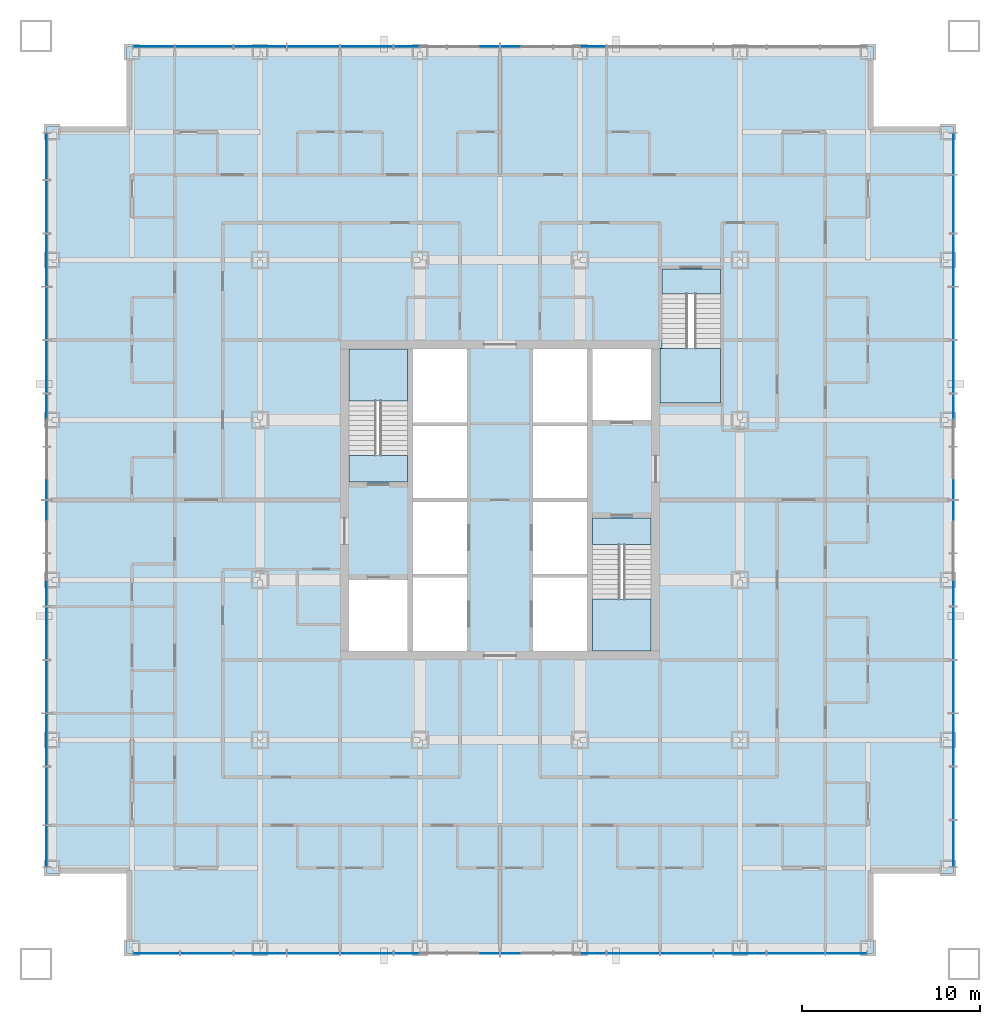
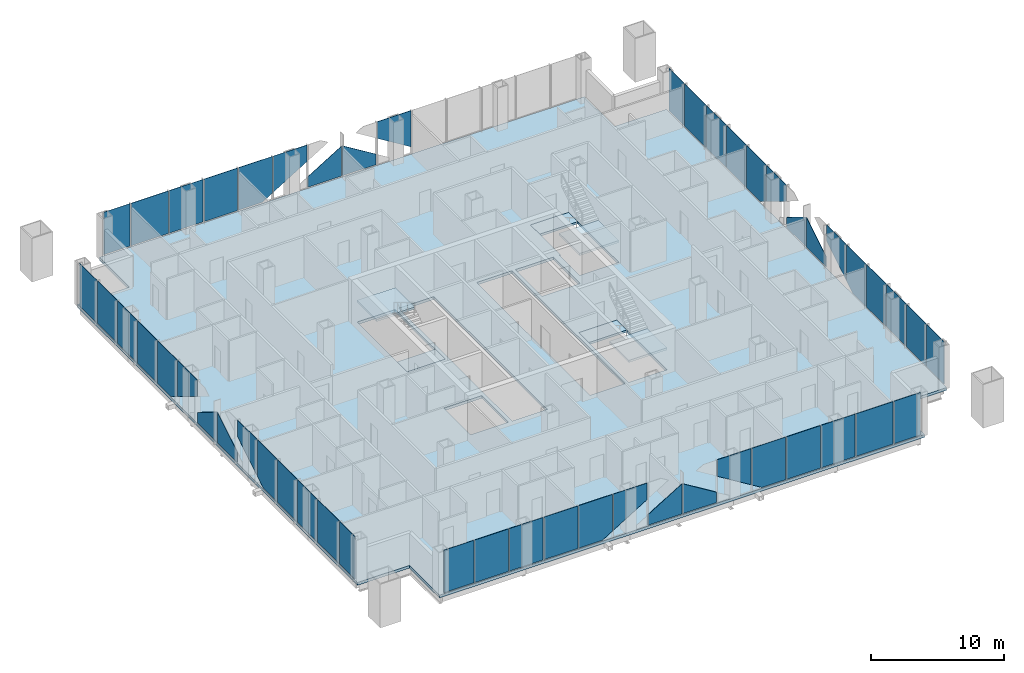
# One storey, part 6 of 13: 51 plates, 7 slabs, 7 elements without a shape of their own.
"""IFC4 building model written with IfcOpenShell, lengths in metres."""

import ifcopenshell
import ifcopenshell.guid

model = None  # the IFC model being written
_history = None  # IfcOwnerHistory: only IFC2X3 demands one
_inside = {}  # id of a spatial element -> (the spatial element, [elements in it])
_under = {}  # id of a project, library or spatial element -> (it, [spatial elements below it])
_declared = {}  # id of a project -> (the project, [libraries it declares])
_typed = {}  # id of a type object -> (the type object, [elements of that type])
_made_of = {}  # id of a material, layer set ... -> (it, [elements and type objects made of it])


def new_model(schema):
    """Start an empty IFC model of exactly this schema.

    Asked for "IFC4X3", IfcOpenShell would pick the latest addendum, in which some entities
    have other attributes; the version numbers below select the first issue.
    IFC2X3 requires an IfcOwnerHistory on every rooted entity: one is made here for all.
    """
    global model, _history
    if schema == "IFC4X3":
        model = ifcopenshell.file(schema_version=(4, 3, 0, 0))
    else:
        model = ifcopenshell.file(schema=schema)
    _inside.clear()
    _under.clear()
    _declared.clear()
    _typed.clear()
    _made_of.clear()
    _history = None
    if model.schema == "IFC2X3":
        org = make("IfcOrganization", Name="unknown")
        user = make(
            "IfcPersonAndOrganization",
            ThePerson=make("IfcPerson", FamilyName="unknown"),
            TheOrganization=org,
        )
        app = make(
            "IfcApplication",
            ApplicationDeveloper=org,
            Version="unknown",
            ApplicationFullName="unknown",
            ApplicationIdentifier="unknown",
        )
        _history = make(
            "IfcOwnerHistory",
            OwningUser=user,
            OwningApplication=app,
            ChangeAction="ADDED",
            CreationDate=0,
        )
    return model


def make(cls, **values):
    """One entity of the class cls with the attributes given. An attribute that is None is left unset."""
    return model.create_entity(
        cls, **{name: value for name, value in values.items() if value is not None}
    )


def rooted(cls, **values):
    """An entity with a GlobalId (a new one), such as an element, a storey or a relation."""
    return make(cls, GlobalId=ifcopenshell.guid.new(), OwnerHistory=_history, **values)


def si_unit(unit_type, name, prefix=None):
    """IfcSIUnit, for example si_unit("LENGTHUNIT", "METRE", prefix="MILLI")."""
    return make("IfcSIUnit", UnitType=unit_type, Prefix=prefix, Name=name)


def assignment(units):
    """IfcUnitAssignment: the units of a project."""
    return None if units is None else make("IfcUnitAssignment", Units=units)


def point(xyz):
    """IfcCartesianPoint."""
    return None if xyz is None else make("IfcCartesianPoint", Coordinates=xyz)


def direction(xyz):
    """IfcDirection."""
    return None if xyz is None else make("IfcDirection", DirectionRatios=xyz)


def frame(location, z_axis=None, x_axis=None):
    """IfcAxis2Placement3D, a coordinate frame: its origin and axes. An axis left out is left unset."""
    return make(
        "IfcAxis2Placement3D",
        Location=point(location),
        Axis=direction(z_axis),
        RefDirection=direction(x_axis),
    )


def frame_2d(location, x_axis=None):
    """IfcAxis2Placement2D, a coordinate frame in the plane: its origin and x axis."""
    return make(
        "IfcAxis2Placement2D", Location=point(location), RefDirection=direction(x_axis)
    )


def origin():
    """The frame at (0, 0, 0) with its axes left unset."""
    return frame((0.0, 0.0, 0.0))


def origin_2d():
    """The frame at (0, 0) in the plane with its x axis left unset."""
    return frame_2d((0.0, 0.0))


def place(relative_to, where):
    """IfcLocalPlacement: puts the frame where relative to a parent placement (None: the world)."""
    return make(
        "IfcLocalPlacement", PlacementRelTo=relative_to, RelativePlacement=where
    )


def context(
    kind, dimensions, precision=None, world=None, true_north=None, identifier=None
):
    """IfcGeometricRepresentationContext, for example the 3D "Model" context."""
    return make(
        "IfcGeometricRepresentationContext",
        ContextIdentifier=identifier,
        ContextType=kind,
        CoordinateSpaceDimension=dimensions,
        Precision=precision,
        WorldCoordinateSystem=world,
        TrueNorth=true_north,
    )


def subcontext(parent, identifier, kind, view, scale=None):
    """IfcGeometricRepresentationSubContext, for example "Body" below "Model"."""
    return make(
        "IfcGeometricRepresentationSubContext",
        ContextIdentifier=identifier,
        ContextType=kind,
        ParentContext=parent,
        TargetScale=scale,
        TargetView=view,
    )


def project(units=None, contexts=None):
    """IfcProject with its units and contexts."""
    return rooted(
        "IfcProject",
        Name="project",
        RepresentationContexts=contexts,
        UnitsInContext=assignment(units),
    )


def spatial(cls, under=None, at=None, **own):
    """A site, building, storey or space (cls), placed at a placement, below another one or the project."""
    s = rooted(cls, ObjectPlacement=at, **own)
    if under is not None:
        _under.setdefault(under.id(), (under, []))[1].append(s)
    return s


def polyline(points):
    """IfcPolyline through the points."""
    return make("IfcPolyline", Points=[point(p) for p in points])


def profile(cls, at=None, kind="AREA", **sizes):
    """A parametric profile (cls). Its sizes go by their IFC names, for example OverallWidth=200.0."""
    return make(cls, ProfileType=kind, Position=at, **sizes)


def rectangle(**sizes):
    """IfcRectangleProfileDef."""
    return profile("IfcRectangleProfileDef", **sizes)


def outline(outer, holes=None, kind="AREA"):
    """IfcArbitraryClosedProfileDef: a profile drawn as a closed curve; with holes, ...WithVoids."""
    if holes is None:
        return make("IfcArbitraryClosedProfileDef", ProfileType=kind, OuterCurve=outer)
    return make(
        "IfcArbitraryProfileDefWithVoids",
        ProfileType=kind,
        OuterCurve=outer,
        InnerCurves=holes,
    )


def extrude(swept, where, along, depth):
    """IfcExtrudedAreaSolid: the profile swept, set in the frame where, extruded along a direction by depth."""
    return make(
        "IfcExtrudedAreaSolid",
        SweptArea=swept,
        Position=where,
        ExtrudedDirection=direction(along),
        Depth=depth,
    )


def shape(context_of_items, identifier, shape_type, items):
    """IfcShapeRepresentation: the items that make up one representation, for example the "Body"."""
    return make(
        "IfcShapeRepresentation",
        ContextOfItems=context_of_items,
        RepresentationIdentifier=identifier,
        RepresentationType=shape_type,
        Items=items,
    )


def material(Name=None, Category=None):
    """IfcMaterial."""
    return make("IfcMaterial", Name=Name, Category=Category)


def layer(
    of_material, thickness, ventilated=None, Name=None, Category=None, Priority=None
):
    """IfcMaterialLayer: one layer of a wall or slab, of a material (None: an air gap)."""
    return make(
        "IfcMaterialLayer",
        Material=of_material,
        LayerThickness=thickness,
        IsVentilated=ventilated,
        Name=Name,
        Category=Category,
        Priority=Priority,
    )


def layer_set(layers, Name=None):
    """IfcMaterialLayerSet."""
    return make("IfcMaterialLayerSet", MaterialLayers=layers, LayerSetName=Name)


def made_of(thing, what):
    """Note that an element or type object is made of a material, layer set ...; save() writes the relation."""
    if what is not None:
        _made_of.setdefault(what.id(), (what, []))[1].append(thing)
    return thing


def type_object(cls, material=None, **own):
    """A type object (cls), such as IfcWallType, which elements share."""
    return made_of(rooted(cls, **own), material)


def element(
    cls,
    number,
    at=None,
    inside=None,
    cuts=None,
    type_object=None,
    material=None,
    context=None,
    identifier="Body",
    shape_type=None,
    held_by="IfcProductDefinitionShape",
    body=None,
    shapes=None,
    **own,
):
    """One element of the class cls, such as IfcWall. Its Tag is "e" and its number.

    at: its placement. inside: the storey or other place that contains it. cuts: it is an
    opening in that element (IfcRelVoidsElement). A single representation is given by context,
    identifier, shape_type and body (its items); several are given by shapes. held_by: the class
    of the entity that holds the representations. save() writes the other relations.
    """
    e = rooted(cls, Tag="e%d" % number, ObjectPlacement=at, **own)
    if body is not None:
        shapes = [shape(context, identifier, shape_type, body)]
    if shapes is not None:
        e.Representation = make(held_by, Representations=shapes)
    if inside is not None:
        _inside.setdefault(inside.id(), (inside, []))[1].append(e)
    if cuts is not None:
        rooted(
            "IfcRelVoidsElement", RelatingBuildingElement=cuts, RelatedOpeningElement=e
        )
    if type_object is not None:
        _typed.setdefault(type_object.id(), (type_object, []))[1].append(e)
    return made_of(e, material)


def aggregate(whole, parts):
    """IfcRelAggregates: a whole, such as a stair, and the parts it consists of."""
    return rooted("IfcRelAggregates", RelatingObject=whole, RelatedObjects=parts)


def save(model, path):
    """Write the relations noted so far, then the file.

    IfcRelAggregates (storeys below a building ...), IfcRelContainedInSpatialStructure (elements
    in a storey), IfcRelDefinesByType, IfcRelAssociatesMaterial and IfcRelDeclares: one each for
    every whole, place, type object, material and project.
    """
    for whole, parts in _under.values():
        aggregate(whole, parts)
    for where, things in _inside.values():
        rooted(
            "IfcRelContainedInSpatialStructure",
            RelatedElements=things,
            RelatingStructure=where,
        )
    for kind, things in _typed.values():
        rooted("IfcRelDefinesByType", RelatedObjects=things, RelatingType=kind)
    for what, things in _made_of.values():
        rooted("IfcRelAssociatesMaterial", RelatedObjects=things, RelatingMaterial=what)
    for by, libraries in _declared.values():
        rooted("IfcRelDeclares", RelatingContext=by, RelatedDefinitions=libraries)
    model.write(path)


model = new_model("IFC4")

# Units and contexts
model_context = context("Model", 3, precision=1e-05, world=origin(), true_north=direction((0.0, 1.0)))
body_context = subcontext(model_context, "Body", "Model", "MODEL_VIEW")
ifc_project = project(units=[si_unit("LENGTHUNIT", "METRE"), si_unit("AREAUNIT", "SQUARE_METRE"), si_unit("VOLUMEUNIT", "CUBIC_METRE"), si_unit("PLANEANGLEUNIT", "RADIAN"), si_unit("MASSUNIT", "GRAM", prefix="KILO")], contexts=[model_context])

# Site, building, storey
site_placement = place(None, origin())
site = spatial("IfcSite", under=ifc_project, at=site_placement, CompositionType="ELEMENT")
building_placement = place(site_placement, origin())
building = spatial("IfcBuilding", under=site, at=building_placement, Name="Malebo Sky Hospital", CompositionType="ELEMENT")
storey_placement = place(building_placement, frame((0.0, 0.0, 43.0)))
storey = spatial("IfcBuildingStorey", under=building, at=storey_placement, Name="L09", CompositionType="ELEMENT", Elevation=43.0)

# Slab
ifc_material_1 = material(Name="Concrete C40/50", Category="concrete")
ifc_layer_1 = layer(ifc_material_1, 0.25)
ifc_layer_set_1 = layer_set([ifc_layer_1], Name="COMPOSITE FLOOR SLAB 250")
slab_type_1 = type_object("IfcSlabType", Name="COMPOSITE FLOOR SLAB 250", PredefinedType="FLOOR", material=ifc_layer_set_1)
slab_1_placement = place(storey_placement, frame((0.0, 0.0, -0.25)))
element("IfcSlab", 1, at=slab_1_placement, inside=storey, type_object=slab_type_1, Name="Floor slab L09", PredefinedType="FLOOR", context=body_context, shape_type="SweptSolid", body=[
    extrude(outline(polyline([(39.0, 87.5), (39.0, 83.0), (34.5, 83.0), (34.5, 41.0), (39.0, 41.0), (39.0, 36.5), (81.0, 36.5), (81.0, 41.0), (85.5, 41.0), (85.5, 83.0), (81.0, 83.0), (81.0, 87.5), (39.0, 87.5)]), holes=[polyline([(55.10009765625, 70.5), (58.14990234375, 70.5), (58.14990234375, 53.5), (55.10009765625, 53.5), (55.10009765625, 70.5)]), polyline([(64.89990234375, 70.5), (64.89990234375, 53.5), (61.85009765625, 53.5), (61.85009765625, 70.5), (64.89990234375, 70.5)]), polyline([(54.800048828125, 63.0), (51.5, 63.0), (51.5, 70.5), (54.800048828125, 70.5), (54.800048828125, 63.0)]), polyline([(51.5, 53.5), (51.5, 57.5), (54.800048828125, 57.5), (54.800048828125, 53.5), (51.5, 53.5)]), polyline([(65.199951171875, 61.0), (68.5, 61.0), (68.5, 53.5), (65.199951171875, 53.5), (65.199951171875, 61.0)]), polyline([(68.5, 70.5), (68.5, 66.5), (65.199951171875, 66.5), (65.199951171875, 70.5), (68.5, 70.5)]), polyline([(69.0, 67.449951171875), (69.0, 70.52001953125), (69.10009765625, 70.52001953125), (69.10009765625, 75.0), (72.39990234375, 75.0), (72.39990234375, 67.449951171875), (69.10009765625, 67.449951171875), (69.0, 67.449951171875)])]), origin(), (0.0, 0.0, 1.0), 0.25),
])

# Stair, slabs
stair_type_1 = type_object("IfcStairType", Name="HALF-TURN STAIR 1500 R167", PredefinedType="HALF_TURN_STAIR", material=ifc_material_1)
stair_1_placement = place(storey_placement, origin())
stair_1 = element("IfcStair", 2, at=stair_1_placement, inside=storey, type_object=stair_type_1, Name="Stair S1 L09 type ST1", PredefinedType="HALF_TURN_STAIR")
ifc_layer_2 = layer(ifc_material_1, 0.199951171875)
ifc_layer_set_2 = layer_set([ifc_layer_2], Name="STAIR LANDING 200")
slab_type_2 = type_object("IfcSlabType", Name="STAIR LANDING 200", PredefinedType="LANDING", material=ifc_layer_set_2)
slab_2_placement = place(storey_placement, frame((0.0, 0.0, -0.199951171875)))
slab_2 = element("IfcSlab", 3, at=slab_2_placement, type_object=slab_type_2, Name="S1 landing 1", PredefinedType="LANDING", context=body_context, shape_type="SweptSolid", body=[
    extrude(outline(polyline([(51.5, 63.0), (54.800048828125, 63.0), (54.800048828125, 64.5), (51.5, 64.5), (51.5, 63.0)])), origin(), (0.0, 0.0, 1.0), 0.199951171875),
])
slab_3_placement = place(storey_placement, frame((0.0, 0.0, 1.800048828125)))
slab_3 = element("IfcSlab", 4, at=slab_3_placement, type_object=slab_type_2, Name="S1 landing 2", PredefinedType="LANDING", context=body_context, shape_type="SweptSolid", body=[
    extrude(outline(polyline([(51.5, 67.580078125), (54.800048828125, 67.580078125), (54.800048828125, 70.5), (51.5, 70.5), (51.5, 67.580078125)])), origin(), (0.0, 0.0, 1.0), 0.199951171875),
])
aggregate(stair_1, [slab_2, slab_3])

stair_2_placement = place(storey_placement, origin())
stair_2 = element("IfcStair", 5, at=stair_2_placement, inside=storey, type_object=stair_type_1, Name="Stair S2 L09 type ST1", PredefinedType="HALF_TURN_STAIR")
slab_4_placement = place(storey_placement, frame((0.0, 0.0, -0.199951171875)))
slab_4 = element("IfcSlab", 6, at=slab_4_placement, type_object=slab_type_2, Name="S2 landing 1", PredefinedType="LANDING", context=body_context, shape_type="SweptSolid", body=[
    extrude(outline(polyline([(65.199951171875, 59.5), (68.5, 59.5), (68.5, 61.0), (65.199951171875, 61.0), (65.199951171875, 59.5)])), origin(), (0.0, 0.0, 1.0), 0.199951171875),
])
slab_5_placement = place(storey_placement, frame((0.0, 0.0, 1.800048828125)))
slab_5 = element("IfcSlab", 7, at=slab_5_placement, type_object=slab_type_2, Name="S2 landing 2", PredefinedType="LANDING", context=body_context, shape_type="SweptSolid", body=[
    extrude(outline(polyline([(65.199951171875, 53.5), (68.5, 53.5), (68.5, 56.419921875), (65.199951171875, 56.419921875), (65.199951171875, 53.5)])), origin(), (0.0, 0.0, 1.0), 0.199951171875),
])
aggregate(stair_2, [slab_4, slab_5])

stair_type_2 = type_object("IfcStairType", Name="HALF-TURN STAIR 1400 R167", PredefinedType="HALF_TURN_STAIR", material=ifc_material_1)
stair_3_placement = place(storey_placement, origin())
stair_3 = element("IfcStair", 8, at=stair_3_placement, inside=storey, type_object=stair_type_2, Name="Stair S3 L09 type ST1B", PredefinedType="HALF_TURN_STAIR")
slab_6_placement = place(storey_placement, frame((0.0, 0.0, -0.199951171875)))
slab_6 = element("IfcSlab", 9, at=slab_6_placement, type_object=slab_type_2, Name="S3 landing 1", PredefinedType="LANDING", context=body_context, shape_type="SweptSolid", body=[
    extrude(outline(polyline([(69.10009765625, 73.60009765625), (72.39990234375, 73.60009765625), (72.39990234375, 75.0), (69.10009765625, 75.0), (69.10009765625, 73.60009765625)])), origin(), (0.0, 0.0, 1.0), 0.199951171875),
])
slab_7_placement = place(storey_placement, frame((0.0, 0.0, 1.800048828125)))
slab_7 = element("IfcSlab", 10, at=slab_7_placement, type_object=slab_type_2, Name="S3 landing 2", PredefinedType="LANDING", context=body_context, shape_type="SweptSolid", body=[
    extrude(outline(polyline([(69.0, 67.449951171875), (72.39990234375, 67.449951171875), (72.39990234375, 70.52001953125), (69.0, 70.52001953125), (69.0, 67.449951171875)])), origin(), (0.0, 0.0, 1.0), 0.199951171875),
])
aggregate(stair_3, [slab_6, slab_7])

# Curtain wall, plates
ifc_material_2 = material(Name="Anodised aluminium, natural silver", Category="aluminium")
ifc_layer_3 = layer(ifc_material_2, 0.25)
ifc_layer_set_3 = layer_set([ifc_layer_3], Name="WARD CURTAIN WALL NORTH AND SOUTH")
curtain_wall_type_1 = type_object("IfcCurtainWallType", Name="WARD CURTAIN WALL NORTH AND SOUTH", PredefinedType="NOTDEFINED", material=ifc_layer_set_3)
curtain_wall_1_placement = place(storey_placement, origin())
curtain_wall_1 = element("IfcCurtainWall", 11, at=curtain_wall_1_placement, inside=storey, type_object=curtain_wall_type_1, Name="NS curtain wall N", PredefinedType="NOTDEFINED")
ifc_material_3 = material(Name="Clear low-iron double glazing", Category="glass")
ifc_layer_4 = layer(ifc_material_3, 0.031982421875)
ifc_layer_set_4 = layer_set([ifc_layer_4], Name="VISION PANEL CLEAR 32")
plate_type = type_object("IfcPlateType", Name="VISION PANEL CLEAR 32", PredefinedType="CURTAIN_PANEL", material=ifc_layer_set_4)
plate_1_placement = place(storey_placement, frame((40.518798828125, 87.5, 0.10009765625), z_axis=(0.0, 0.0, 1.0), x_axis=(1.0, 0.0, 0.0)))
plate_1 = element("IfcPlate", 12, at=plate_1_placement, type_object=plate_type, Name="Panel 1", PredefinedType="CURTAIN_PANEL", context=body_context, shape_type="SweptSolid", body=[
    extrude(rectangle(XDim=2.28759765625, YDim=0.031982421875, at=origin_2d()), origin(), (0.0, 0.0, 1.0), 3.889892578125),
])
plate_2_placement = place(storey_placement, frame((43.35009765625, 87.5, 0.10009765625), z_axis=(0.0, 0.0, 1.0), x_axis=(1.0, 0.0, 0.0)))
plate_2 = element("IfcPlate", 13, at=plate_2_placement, type_object=plate_type, Name="Panel 2", PredefinedType="CURTAIN_PANEL", context=body_context, shape_type="SweptSolid", body=[
    extrude(rectangle(XDim=3.22509765625, YDim=0.031982421875, at=origin_2d()), origin(), (0.0, 0.0, 1.0), 3.889892578125),
])
plate_3_placement = place(storey_placement, frame((46.5, 87.5, 0.10009765625), z_axis=(0.0, 0.0, 1.0), x_axis=(1.0, 0.0, 0.0)))
plate_3 = element("IfcPlate", 14, at=plate_3_placement, type_object=plate_type, Name="Panel 3", PredefinedType="CURTAIN_PANEL", context=body_context, shape_type="SweptSolid", body=[
    extrude(rectangle(XDim=2.925048828125, YDim=0.031982421875, at=origin_2d()), origin(), (0.0, 0.0, 1.0), 3.889892578125),
])
plate_4_placement = place(storey_placement, frame((49.5, 87.5, 0.10009765625), z_axis=(0.0, 0.0, 1.0), x_axis=(1.0, 0.0, 0.0)))
plate_4 = element("IfcPlate", 15, at=plate_4_placement, type_object=plate_type, Name="Panel 4", PredefinedType="CURTAIN_PANEL", context=body_context, shape_type="SweptSolid", body=[
    extrude(rectangle(XDim=2.925048828125, YDim=0.031982421875, at=origin_2d()), origin(), (0.0, 0.0, 1.0), 3.889892578125),
])
plate_5_placement = place(storey_placement, frame((52.5, 87.5, 0.10009765625), z_axis=(0.0, 0.0, 1.0), x_axis=(1.0, 0.0, 0.0)))
plate_5 = element("IfcPlate", 16, at=plate_5_placement, type_object=plate_type, Name="Panel 5", PredefinedType="CURTAIN_PANEL", context=body_context, shape_type="SweptSolid", body=[
    extrude(outline(polyline([(-1.46240234375, 0.0), (0.593505859375, 0.0), (1.46240234375, 0.53271484375), (1.46240234375, 3.889892578125), (-1.46240234375, 3.889892578125), (-1.46240234375, 0.0)])), frame((0.0, 0.01611328125, 0.0), z_axis=(0.0, -1.0, 0.0), x_axis=(1.0, 0.0, 0.0)), (0.0, 0.0, 1.0), 0.031982421875),
])
plate_6_placement = place(storey_placement, frame((55.5, 87.5, 0.6787109375), z_axis=(0.0, 0.0, 1.0), x_axis=(1.0, 0.0, 0.0)))
plate_6 = element("IfcPlate", 17, at=plate_6_placement, type_object=plate_type, Name="Panel 6", PredefinedType="CURTAIN_PANEL", context=body_context, shape_type="SweptSolid", body=[
    extrude(outline(polyline([(-1.46240234375, 0.0), (1.46240234375, 1.793212890625), (1.46240234375, 3.311279296875), (-1.46240234375, 3.311279296875), (-1.46240234375, 0.0)])), frame((0.0, 0.01611328125, 0.0), z_axis=(0.0, -1.0, 0.0), x_axis=(1.0, 0.0, 0.0)), (0.0, 0.0, 1.0), 0.031982421875),
])
plate_7_placement = place(storey_placement, frame((58.5, 87.5, 0.10009765625), z_axis=(0.0, 0.0, 1.0), x_axis=(1.0, 0.0, 0.0)))
plate_7 = element("IfcPlate", 18, at=plate_7_placement, type_object=plate_type, Name="Panel 7", PredefinedType="CURTAIN_PANEL", context=body_context, shape_type="SweptSolid", body=[
    extrude(outline(polyline([(-1.46240234375, 0.0), (1.46240234375, 0.0), (1.46240234375, 2.743408203125), (-1.46240234375, 0.9501953125), (-1.46240234375, 0.0)])), frame((0.0, 0.01611328125, 0.0), z_axis=(0.0, -1.0, 0.0), x_axis=(1.0, 0.0, 0.0)), (0.0, 0.0, 1.0), 0.031982421875),
])
plate_8_placement = place(storey_placement, frame((61.5, 87.5, 0.10009765625), z_axis=(0.0, 0.0, 1.0), x_axis=(1.0, 0.0, 0.0)))
plate_8 = element("IfcPlate", 19, at=plate_8_placement, type_object=plate_type, Name="Panel 8", PredefinedType="CURTAIN_PANEL", context=body_context, shape_type="SweptSolid", body=[
    extrude(outline(polyline([(-1.46240234375, 0.0), (1.46240234375, 0.0), (1.46240234375, 0.9501953125), (-1.46240234375, 2.743408203125), (-1.46240234375, 0.0)])), frame((0.0, 0.01611328125, 0.0), z_axis=(0.0, -1.0, 0.0), x_axis=(1.0, 0.0, 0.0)), (0.0, 0.0, 1.0), 0.031982421875),
])
plate_9_placement = place(storey_placement, frame((64.5, 87.5, 0.6787109375), z_axis=(0.0, 0.0, 1.0), x_axis=(1.0, 0.0, 0.0)))
plate_9 = element("IfcPlate", 20, at=plate_9_placement, type_object=plate_type, Name="Panel 9", PredefinedType="CURTAIN_PANEL", context=body_context, shape_type="SweptSolid", body=[
    extrude(outline(polyline([(1.46240234375, 0.0), (1.46240234375, 3.311279296875), (-1.46240234375, 3.311279296875), (-1.46240234375, 1.793212890625), (1.46240234375, 0.0)])), frame((0.0, 0.01611328125, 0.0), z_axis=(0.0, -1.0, 0.0), x_axis=(1.0, 0.0, 0.0)), (0.0, 0.0, 1.0), 0.031982421875),
])
aggregate(curtain_wall_1, [plate_1, plate_2, plate_3, plate_4, plate_5, plate_6, plate_7, plate_8, plate_9])

ifc_layer_5 = layer(ifc_material_2, 0.25)
ifc_layer_set_5 = layer_set([ifc_layer_5], Name="WARD CURTAIN WALL EAST AND WEST")
curtain_wall_type_2 = type_object("IfcCurtainWallType", Name="WARD CURTAIN WALL EAST AND WEST", PredefinedType="NOTDEFINED", material=ifc_layer_set_5)
curtain_wall_2_placement = place(storey_placement, origin())
curtain_wall_2 = element("IfcCurtainWall", 21, at=curtain_wall_2_placement, inside=storey, type_object=curtain_wall_type_2, Name="EW curtain wall W", PredefinedType="NOTDEFINED")
plate_10_placement = place(storey_placement, frame((34.5, 42.518798828125, 0.10009765625), z_axis=(0.0, 0.0, 1.0), x_axis=(0.0, 1.0, 0.0)))
plate_10 = element("IfcPlate", 22, at=plate_10_placement, type_object=plate_type, Name="Panel 1", PredefinedType="CURTAIN_PANEL", context=body_context, shape_type="SweptSolid", body=[
    extrude(rectangle(XDim=2.28759765625, YDim=0.031982421875, at=origin_2d()), origin(), (0.0, 0.0, 1.0), 3.889892578125),
])
plate_11_placement = place(storey_placement, frame((34.5, 45.35009765625, 0.10009765625), z_axis=(0.0, 0.0, 1.0), x_axis=(0.0, 1.0, 0.0)))
plate_11 = element("IfcPlate", 23, at=plate_11_placement, type_object=plate_type, Name="Panel 2", PredefinedType="CURTAIN_PANEL", context=body_context, shape_type="SweptSolid", body=[
    extrude(rectangle(XDim=3.22509765625, YDim=0.031982421875, at=origin_2d()), origin(), (0.0, 0.0, 1.0), 3.889892578125),
])
plate_12_placement = place(storey_placement, frame((34.5, 48.5, 0.10009765625), z_axis=(0.0, 0.0, 1.0), x_axis=(0.0, 1.0, 0.0)))
plate_12 = element("IfcPlate", 24, at=plate_12_placement, type_object=plate_type, Name="Panel 3", PredefinedType="CURTAIN_PANEL", context=body_context, shape_type="SweptSolid", body=[
    extrude(rectangle(XDim=2.925048828125, YDim=0.031982421875, at=origin_2d()), origin(), (0.0, 0.0, 1.0), 3.889892578125),
])
plate_13_placement = place(storey_placement, frame((34.5, 51.5, 0.10009765625), z_axis=(0.0, 0.0, 1.0), x_axis=(0.0, 1.0, 0.0)))
plate_13 = element("IfcPlate", 25, at=plate_13_placement, type_object=plate_type, Name="Panel 4", PredefinedType="CURTAIN_PANEL", context=body_context, shape_type="SweptSolid", body=[
    extrude(rectangle(XDim=2.925048828125, YDim=0.031982421875, at=origin_2d()), origin(), (0.0, 0.0, 1.0), 3.889892578125),
])
plate_14_placement = place(storey_placement, frame((34.5, 54.5, 0.10009765625), z_axis=(0.0, 0.0, 1.0), x_axis=(0.0, 1.0, 0.0)))
plate_14 = element("IfcPlate", 26, at=plate_14_placement, type_object=plate_type, Name="Panel 5", PredefinedType="CURTAIN_PANEL", context=body_context, shape_type="SweptSolid", body=[
    extrude(outline(polyline([(-1.46240234375, 0.0), (0.593505859375, 0.0), (1.46240234375, 0.53271484375), (1.46240234375, 3.889892578125), (-1.46240234375, 3.889892578125), (-1.46240234375, 0.0)])), frame((0.0, 0.01611328125, 0.0), z_axis=(0.0, -1.0, 0.0), x_axis=(1.0, 0.0, 0.0)), (0.0, 0.0, 1.0), 0.031982421875),
])
plate_15_placement = place(storey_placement, frame((34.5, 57.5, 0.6787109375), z_axis=(0.0, 0.0, 1.0), x_axis=(0.0, 1.0, 0.0)))
plate_15 = element("IfcPlate", 27, at=plate_15_placement, type_object=plate_type, Name="Panel 6", PredefinedType="CURTAIN_PANEL", context=body_context, shape_type="SweptSolid", body=[
    extrude(outline(polyline([(-1.46240234375, 0.0), (1.46240234375, 1.793212890625), (1.46240234375, 3.311279296875), (-1.46240234375, 3.311279296875), (-1.46240234375, 0.0)])), frame((0.0, 0.01611328125, 0.0), z_axis=(0.0, -1.0, 0.0), x_axis=(1.0, 0.0, 0.0)), (0.0, 0.0, 1.0), 0.031982421875),
])
plate_16_placement = place(storey_placement, frame((34.5, 60.5, 0.10009765625), z_axis=(0.0, 0.0, 1.0), x_axis=(0.0, 1.0, 0.0)))
plate_16 = element("IfcPlate", 28, at=plate_16_placement, type_object=plate_type, Name="Panel 7", PredefinedType="CURTAIN_PANEL", context=body_context, shape_type="SweptSolid", body=[
    extrude(outline(polyline([(-1.46240234375, 0.0), (1.46240234375, 0.0), (1.46240234375, 2.743408203125), (-1.46240234375, 0.9501953125), (-1.46240234375, 0.0)])), frame((0.0, 0.01611328125, 0.0), z_axis=(0.0, -1.0, 0.0), x_axis=(1.0, 0.0, 0.0)), (0.0, 0.0, 1.0), 0.031982421875),
])
plate_17_placement = place(storey_placement, frame((34.5, 63.5, 0.10009765625), z_axis=(0.0, 0.0, 1.0), x_axis=(0.0, 1.0, 0.0)))
plate_17 = element("IfcPlate", 29, at=plate_17_placement, type_object=plate_type, Name="Panel 8", PredefinedType="CURTAIN_PANEL", context=body_context, shape_type="SweptSolid", body=[
    extrude(outline(polyline([(-1.46240234375, 0.0), (1.46240234375, 0.0), (1.46240234375, 0.9501953125), (-1.46240234375, 2.743408203125), (-1.46240234375, 0.0)])), frame((0.0, 0.01611328125, 0.0), z_axis=(0.0, -1.0, 0.0), x_axis=(1.0, 0.0, 0.0)), (0.0, 0.0, 1.0), 0.031982421875),
])
plate_18_placement = place(storey_placement, frame((34.5, 66.5, 0.6787109375), z_axis=(0.0, 0.0, 1.0), x_axis=(0.0, 1.0, 0.0)))
plate_18 = element("IfcPlate", 30, at=plate_18_placement, type_object=plate_type, Name="Panel 9", PredefinedType="CURTAIN_PANEL", context=body_context, shape_type="SweptSolid", body=[
    extrude(outline(polyline([(1.46240234375, 0.0), (1.46240234375, 3.311279296875), (-1.46240234375, 3.311279296875), (-1.46240234375, 1.793212890625), (1.46240234375, 0.0)])), frame((0.0, 0.01611328125, 0.0), z_axis=(0.0, -1.0, 0.0), x_axis=(1.0, 0.0, 0.0)), (0.0, 0.0, 1.0), 0.031982421875),
])
plate_19_placement = place(storey_placement, frame((34.5, 69.5, 0.10009765625), z_axis=(0.0, 0.0, 1.0), x_axis=(0.0, 1.0, 0.0)))
plate_19 = element("IfcPlate", 31, at=plate_19_placement, type_object=plate_type, Name="Panel 10", PredefinedType="CURTAIN_PANEL", context=body_context, shape_type="SweptSolid", body=[
    extrude(outline(polyline([(-0.593505859375, 0.0), (1.46240234375, 0.0), (1.46240234375, 3.889892578125), (-1.46240234375, 3.889892578125), (-1.46240234375, 0.53271484375), (-0.593505859375, 0.0)])), frame((0.0, 0.01611328125, 0.0), z_axis=(0.0, -1.0, 0.0), x_axis=(1.0, 0.0, 0.0)), (0.0, 0.0, 1.0), 0.031982421875),
])
plate_20_placement = place(storey_placement, frame((34.5, 72.5, 0.10009765625), z_axis=(0.0, 0.0, 1.0), x_axis=(0.0, 1.0, 0.0)))
plate_20 = element("IfcPlate", 32, at=plate_20_placement, type_object=plate_type, Name="Panel 11", PredefinedType="CURTAIN_PANEL", context=body_context, shape_type="SweptSolid", body=[
    extrude(rectangle(XDim=2.925048828125, YDim=0.031982421875, at=origin_2d()), origin(), (0.0, 0.0, 1.0), 3.889892578125),
])
plate_21_placement = place(storey_placement, frame((34.5, 75.5, 0.10009765625), z_axis=(0.0, 0.0, 1.0), x_axis=(0.0, 1.0, 0.0)))
plate_21 = element("IfcPlate", 33, at=plate_21_placement, type_object=plate_type, Name="Panel 12", PredefinedType="CURTAIN_PANEL", context=body_context, shape_type="SweptSolid", body=[
    extrude(rectangle(XDim=2.925048828125, YDim=0.031982421875, at=origin_2d()), origin(), (0.0, 0.0, 1.0), 3.889892578125),
])
plate_22_placement = place(storey_placement, frame((34.5, 78.5, 0.10009765625), z_axis=(0.0, 0.0, 1.0), x_axis=(0.0, 1.0, 0.0)))
plate_22 = element("IfcPlate", 34, at=plate_22_placement, type_object=plate_type, Name="Panel 13", PredefinedType="CURTAIN_PANEL", context=body_context, shape_type="SweptSolid", body=[
    extrude(rectangle(XDim=2.925048828125, YDim=0.031982421875, at=origin_2d()), origin(), (0.0, 0.0, 1.0), 3.889892578125),
])
plate_23_placement = place(storey_placement, frame((34.5, 81.331298828125, 0.10009765625), z_axis=(0.0, 0.0, 1.0), x_axis=(0.0, 1.0, 0.0)))
plate_23 = element("IfcPlate", 35, at=plate_23_placement, type_object=plate_type, Name="Panel 14", PredefinedType="CURTAIN_PANEL", context=body_context, shape_type="SweptSolid", body=[
    extrude(rectangle(XDim=2.58740234375, YDim=0.031982421875, at=origin_2d()), origin(), (0.0, 0.0, 1.0), 3.889892578125),
])
aggregate(curtain_wall_2, [plate_10, plate_11, plate_12, plate_13, plate_14, plate_15, plate_16, plate_17, plate_18, plate_19, plate_20, plate_21, plate_22, plate_23])

curtain_wall_3_placement = place(storey_placement, origin())
curtain_wall_3 = element("IfcCurtainWall", 36, at=curtain_wall_3_placement, inside=storey, type_object=curtain_wall_type_1, Name="NS curtain wall S", PredefinedType="NOTDEFINED")
plate_24_placement = place(storey_placement, frame((79.481201171875, 36.5, 0.10009765625), z_axis=(0.0, 0.0, 1.0), x_axis=(-1.0, 0.0, 0.0)))
plate_24 = element("IfcPlate", 37, at=plate_24_placement, type_object=plate_type, Name="Panel 1", PredefinedType="CURTAIN_PANEL", context=body_context, shape_type="SweptSolid", body=[
    extrude(rectangle(XDim=2.28759765625, YDim=0.031982421875, at=origin_2d()), origin(), (0.0, 0.0, 1.0), 3.889892578125),
])
plate_25_placement = place(storey_placement, frame((76.64990234375, 36.5, 0.10009765625), z_axis=(0.0, 0.0, 1.0), x_axis=(-1.0, 0.0, 0.0)))
plate_25 = element("IfcPlate", 38, at=plate_25_placement, type_object=plate_type, Name="Panel 2", PredefinedType="CURTAIN_PANEL", context=body_context, shape_type="SweptSolid", body=[
    extrude(rectangle(XDim=3.22509765625, YDim=0.031982421875, at=origin_2d()), origin(), (0.0, 0.0, 1.0), 3.889892578125),
])
plate_26_placement = place(storey_placement, frame((73.5, 36.5, 0.10009765625), z_axis=(0.0, 0.0, 1.0), x_axis=(-1.0, 0.0, 0.0)))
plate_26 = element("IfcPlate", 39, at=plate_26_placement, type_object=plate_type, Name="Panel 3", PredefinedType="CURTAIN_PANEL", context=body_context, shape_type="SweptSolid", body=[
    extrude(rectangle(XDim=2.925048828125, YDim=0.031982421875, at=origin_2d()), origin(), (0.0, 0.0, 1.0), 3.889892578125),
])
plate_27_placement = place(storey_placement, frame((70.5, 36.5, 0.10009765625), z_axis=(0.0, 0.0, 1.0), x_axis=(-1.0, 0.0, 0.0)))
plate_27 = element("IfcPlate", 40, at=plate_27_placement, type_object=plate_type, Name="Panel 4", PredefinedType="CURTAIN_PANEL", context=body_context, shape_type="SweptSolid", body=[
    extrude(rectangle(XDim=2.925048828125, YDim=0.031982421875, at=origin_2d()), origin(), (0.0, 0.0, 1.0), 3.889892578125),
])
plate_28_placement = place(storey_placement, frame((67.5, 36.5, 0.10009765625), z_axis=(0.0, 0.0, 1.0), x_axis=(-1.0, 0.0, 0.0)))
plate_28 = element("IfcPlate", 41, at=plate_28_placement, type_object=plate_type, Name="Panel 5", PredefinedType="CURTAIN_PANEL", context=body_context, shape_type="SweptSolid", body=[
    extrude(outline(polyline([(-1.46240234375, 0.0), (0.593505859375, 0.0), (1.46240234375, 0.53271484375), (1.46240234375, 3.889892578125), (-1.46240234375, 3.889892578125), (-1.46240234375, 0.0)])), frame((0.0, 0.01611328125, 0.0), z_axis=(0.0, -1.0, 0.0), x_axis=(1.0, 0.0, 0.0)), (0.0, 0.0, 1.0), 0.031982421875),
])
plate_29_placement = place(storey_placement, frame((64.5, 36.5, 0.6787109375), z_axis=(0.0, 0.0, 1.0), x_axis=(-1.0, 0.0, 0.0)))
plate_29 = element("IfcPlate", 42, at=plate_29_placement, type_object=plate_type, Name="Panel 6", PredefinedType="CURTAIN_PANEL", context=body_context, shape_type="SweptSolid", body=[
    extrude(outline(polyline([(-1.46240234375, 0.0), (1.46240234375, 1.793212890625), (1.46240234375, 3.311279296875), (-1.46240234375, 3.311279296875), (-1.46240234375, 0.0)])), frame((0.0, 0.01611328125, 0.0), z_axis=(0.0, -1.0, 0.0), x_axis=(1.0, 0.0, 0.0)), (0.0, 0.0, 1.0), 0.031982421875),
])
plate_30_placement = place(storey_placement, frame((61.5, 36.5, 0.10009765625), z_axis=(0.0, 0.0, 1.0), x_axis=(-1.0, 0.0, 0.0)))
plate_30 = element("IfcPlate", 43, at=plate_30_placement, type_object=plate_type, Name="Panel 7", PredefinedType="CURTAIN_PANEL", context=body_context, shape_type="SweptSolid", body=[
    extrude(outline(polyline([(-1.46240234375, 0.0), (1.46240234375, 0.0), (1.46240234375, 2.743408203125), (-1.46240234375, 0.9501953125), (-1.46240234375, 0.0)])), frame((0.0, 0.01611328125, 0.0), z_axis=(0.0, -1.0, 0.0), x_axis=(1.0, 0.0, 0.0)), (0.0, 0.0, 1.0), 0.031982421875),
])
plate_31_placement = place(storey_placement, frame((58.5, 36.5, 0.10009765625), z_axis=(0.0, 0.0, 1.0), x_axis=(-1.0, 0.0, 0.0)))
plate_31 = element("IfcPlate", 44, at=plate_31_placement, type_object=plate_type, Name="Panel 8", PredefinedType="CURTAIN_PANEL", context=body_context, shape_type="SweptSolid", body=[
    extrude(outline(polyline([(-1.46240234375, 0.0), (1.46240234375, 0.0), (1.46240234375, 0.9501953125), (-1.46240234375, 2.743408203125), (-1.46240234375, 0.0)])), frame((0.0, 0.01611328125, 0.0), z_axis=(0.0, -1.0, 0.0), x_axis=(1.0, 0.0, 0.0)), (0.0, 0.0, 1.0), 0.031982421875),
])
plate_32_placement = place(storey_placement, frame((55.5, 36.5, 0.6787109375), z_axis=(0.0, 0.0, 1.0), x_axis=(-1.0, 0.0, 0.0)))
plate_32 = element("IfcPlate", 45, at=plate_32_placement, type_object=plate_type, Name="Panel 9", PredefinedType="CURTAIN_PANEL", context=body_context, shape_type="SweptSolid", body=[
    extrude(outline(polyline([(1.46240234375, 0.0), (1.46240234375, 3.311279296875), (-1.46240234375, 3.311279296875), (-1.46240234375, 1.793212890625), (1.46240234375, 0.0)])), frame((0.0, 0.01611328125, 0.0), z_axis=(0.0, -1.0, 0.0), x_axis=(1.0, 0.0, 0.0)), (0.0, 0.0, 1.0), 0.031982421875),
])
plate_33_placement = place(storey_placement, frame((52.5, 36.5, 0.10009765625), z_axis=(0.0, 0.0, 1.0), x_axis=(-1.0, 0.0, 0.0)))
plate_33 = element("IfcPlate", 46, at=plate_33_placement, type_object=plate_type, Name="Panel 10", PredefinedType="CURTAIN_PANEL", context=body_context, shape_type="SweptSolid", body=[
    extrude(outline(polyline([(-0.593505859375, 0.0), (1.46240234375, 0.0), (1.46240234375, 3.889892578125), (-1.46240234375, 3.889892578125), (-1.46240234375, 0.53271484375), (-0.593505859375, 0.0)])), frame((0.0, 0.01611328125, 0.0), z_axis=(0.0, -1.0, 0.0), x_axis=(1.0, 0.0, 0.0)), (0.0, 0.0, 1.0), 0.031982421875),
])
plate_34_placement = place(storey_placement, frame((49.5, 36.5, 0.10009765625), z_axis=(0.0, 0.0, 1.0), x_axis=(-1.0, 0.0, 0.0)))
plate_34 = element("IfcPlate", 47, at=plate_34_placement, type_object=plate_type, Name="Panel 11", PredefinedType="CURTAIN_PANEL", context=body_context, shape_type="SweptSolid", body=[
    extrude(rectangle(XDim=2.925048828125, YDim=0.031982421875, at=origin_2d()), origin(), (0.0, 0.0, 1.0), 3.889892578125),
])
plate_35_placement = place(storey_placement, frame((46.5, 36.5, 0.10009765625), z_axis=(0.0, 0.0, 1.0), x_axis=(-1.0, 0.0, 0.0)))
plate_35 = element("IfcPlate", 48, at=plate_35_placement, type_object=plate_type, Name="Panel 12", PredefinedType="CURTAIN_PANEL", context=body_context, shape_type="SweptSolid", body=[
    extrude(rectangle(XDim=2.925048828125, YDim=0.031982421875, at=origin_2d()), origin(), (0.0, 0.0, 1.0), 3.889892578125),
])
plate_36_placement = place(storey_placement, frame((43.5, 36.5, 0.10009765625), z_axis=(0.0, 0.0, 1.0), x_axis=(-1.0, 0.0, 0.0)))
plate_36 = element("IfcPlate", 49, at=plate_36_placement, type_object=plate_type, Name="Panel 13", PredefinedType="CURTAIN_PANEL", context=body_context, shape_type="SweptSolid", body=[
    extrude(rectangle(XDim=2.925048828125, YDim=0.031982421875, at=origin_2d()), origin(), (0.0, 0.0, 1.0), 3.889892578125),
])
plate_37_placement = place(storey_placement, frame((40.668701171875, 36.5, 0.10009765625), z_axis=(0.0, 0.0, 1.0), x_axis=(-1.0, 0.0, 0.0)))
plate_37 = element("IfcPlate", 50, at=plate_37_placement, type_object=plate_type, Name="Panel 14", PredefinedType="CURTAIN_PANEL", context=body_context, shape_type="SweptSolid", body=[
    extrude(rectangle(XDim=2.58740234375, YDim=0.031982421875, at=origin_2d()), origin(), (0.0, 0.0, 1.0), 3.889892578125),
])
aggregate(curtain_wall_3, [plate_24, plate_25, plate_26, plate_27, plate_28, plate_29, plate_30, plate_31, plate_32, plate_33, plate_34, plate_35, plate_36, plate_37])

curtain_wall_4_placement = place(storey_placement, origin())
curtain_wall_4 = element("IfcCurtainWall", 51, at=curtain_wall_4_placement, inside=storey, type_object=curtain_wall_type_2, Name="EW curtain wall E", PredefinedType="NOTDEFINED")
plate_38_placement = place(storey_placement, frame((85.5, 81.481201171875, 0.10009765625), z_axis=(0.0, 0.0, 1.0), x_axis=(0.0, -1.0, 0.0)))
plate_38 = element("IfcPlate", 52, at=plate_38_placement, type_object=plate_type, Name="Panel 1", PredefinedType="CURTAIN_PANEL", context=body_context, shape_type="SweptSolid", body=[
    extrude(rectangle(XDim=2.28759765625, YDim=0.031982421875, at=origin_2d()), origin(), (0.0, 0.0, 1.0), 3.889892578125),
])
plate_39_placement = place(storey_placement, frame((85.5, 78.64990234375, 0.10009765625), z_axis=(0.0, 0.0, 1.0), x_axis=(0.0, -1.0, 0.0)))
plate_39 = element("IfcPlate", 53, at=plate_39_placement, type_object=plate_type, Name="Panel 2", PredefinedType="CURTAIN_PANEL", context=body_context, shape_type="SweptSolid", body=[
    extrude(rectangle(XDim=3.22509765625, YDim=0.031982421875, at=origin_2d()), origin(), (0.0, 0.0, 1.0), 3.889892578125),
])
plate_40_placement = place(storey_placement, frame((85.5, 75.5, 0.10009765625), z_axis=(0.0, 0.0, 1.0), x_axis=(0.0, -1.0, 0.0)))
plate_40 = element("IfcPlate", 54, at=plate_40_placement, type_object=plate_type, Name="Panel 3", PredefinedType="CURTAIN_PANEL", context=body_context, shape_type="SweptSolid", body=[
    extrude(rectangle(XDim=2.925048828125, YDim=0.031982421875, at=origin_2d()), origin(), (0.0, 0.0, 1.0), 3.889892578125),
])
plate_41_placement = place(storey_placement, frame((85.5, 72.5, 0.10009765625), z_axis=(0.0, 0.0, 1.0), x_axis=(0.0, -1.0, 0.0)))
plate_41 = element("IfcPlate", 55, at=plate_41_placement, type_object=plate_type, Name="Panel 4", PredefinedType="CURTAIN_PANEL", context=body_context, shape_type="SweptSolid", body=[
    extrude(rectangle(XDim=2.925048828125, YDim=0.031982421875, at=origin_2d()), origin(), (0.0, 0.0, 1.0), 3.889892578125),
])
plate_42_placement = place(storey_placement, frame((85.5, 69.5, 0.10009765625), z_axis=(0.0, 0.0, 1.0), x_axis=(0.0, -1.0, 0.0)))
plate_42 = element("IfcPlate", 56, at=plate_42_placement, type_object=plate_type, Name="Panel 5", PredefinedType="CURTAIN_PANEL", context=body_context, shape_type="SweptSolid", body=[
    extrude(outline(polyline([(-1.46240234375, 0.0), (0.593505859375, 0.0), (1.46240234375, 0.53271484375), (1.46240234375, 3.889892578125), (-1.46240234375, 3.889892578125), (-1.46240234375, 0.0)])), frame((0.0, 0.01611328125, 0.0), z_axis=(0.0, -1.0, 0.0), x_axis=(1.0, 0.0, 0.0)), (0.0, 0.0, 1.0), 0.031982421875),
])
plate_43_placement = place(storey_placement, frame((85.5, 66.5, 0.6787109375), z_axis=(0.0, 0.0, 1.0), x_axis=(0.0, -1.0, 0.0)))
plate_43 = element("IfcPlate", 57, at=plate_43_placement, type_object=plate_type, Name="Panel 6", PredefinedType="CURTAIN_PANEL", context=body_context, shape_type="SweptSolid", body=[
    extrude(outline(polyline([(-1.46240234375, 0.0), (1.46240234375, 1.793212890625), (1.46240234375, 3.311279296875), (-1.46240234375, 3.311279296875), (-1.46240234375, 0.0)])), frame((0.0, 0.01611328125, 0.0), z_axis=(0.0, -1.0, 0.0), x_axis=(1.0, 0.0, 0.0)), (0.0, 0.0, 1.0), 0.031982421875),
])
plate_44_placement = place(storey_placement, frame((85.5, 63.5, 0.10009765625), z_axis=(0.0, 0.0, 1.0), x_axis=(0.0, -1.0, 0.0)))
plate_44 = element("IfcPlate", 58, at=plate_44_placement, type_object=plate_type, Name="Panel 7", PredefinedType="CURTAIN_PANEL", context=body_context, shape_type="SweptSolid", body=[
    extrude(outline(polyline([(-1.46240234375, 0.0), (1.46240234375, 0.0), (1.46240234375, 2.743408203125), (-1.46240234375, 0.9501953125), (-1.46240234375, 0.0)])), frame((0.0, 0.01611328125, 0.0), z_axis=(0.0, -1.0, 0.0), x_axis=(1.0, 0.0, 0.0)), (0.0, 0.0, 1.0), 0.031982421875),
])
plate_45_placement = place(storey_placement, frame((85.5, 60.5, 0.10009765625), z_axis=(0.0, 0.0, 1.0), x_axis=(0.0, -1.0, 0.0)))
plate_45 = element("IfcPlate", 59, at=plate_45_placement, type_object=plate_type, Name="Panel 8", PredefinedType="CURTAIN_PANEL", context=body_context, shape_type="SweptSolid", body=[
    extrude(outline(polyline([(-1.46240234375, 0.0), (1.46240234375, 0.0), (1.46240234375, 0.9501953125), (-1.46240234375, 2.743408203125), (-1.46240234375, 0.0)])), frame((0.0, 0.01611328125, 0.0), z_axis=(0.0, -1.0, 0.0), x_axis=(1.0, 0.0, 0.0)), (0.0, 0.0, 1.0), 0.031982421875),
])
plate_46_placement = place(storey_placement, frame((85.5, 57.5, 0.6787109375), z_axis=(0.0, 0.0, 1.0), x_axis=(0.0, -1.0, 0.0)))
plate_46 = element("IfcPlate", 60, at=plate_46_placement, type_object=plate_type, Name="Panel 9", PredefinedType="CURTAIN_PANEL", context=body_context, shape_type="SweptSolid", body=[
    extrude(outline(polyline([(1.46240234375, 0.0), (1.46240234375, 3.311279296875), (-1.46240234375, 3.311279296875), (-1.46240234375, 1.793212890625), (1.46240234375, 0.0)])), frame((0.0, 0.01611328125, 0.0), z_axis=(0.0, -1.0, 0.0), x_axis=(1.0, 0.0, 0.0)), (0.0, 0.0, 1.0), 0.031982421875),
])
plate_47_placement = place(storey_placement, frame((85.5, 54.5, 0.10009765625), z_axis=(0.0, 0.0, 1.0), x_axis=(0.0, -1.0, 0.0)))
plate_47 = element("IfcPlate", 61, at=plate_47_placement, type_object=plate_type, Name="Panel 10", PredefinedType="CURTAIN_PANEL", context=body_context, shape_type="SweptSolid", body=[
    extrude(outline(polyline([(-0.593505859375, 0.0), (1.46240234375, 0.0), (1.46240234375, 3.889892578125), (-1.46240234375, 3.889892578125), (-1.46240234375, 0.53271484375), (-0.593505859375, 0.0)])), frame((0.0, 0.01611328125, 0.0), z_axis=(0.0, -1.0, 0.0), x_axis=(1.0, 0.0, 0.0)), (0.0, 0.0, 1.0), 0.031982421875),
])
plate_48_placement = place(storey_placement, frame((85.5, 51.5, 0.10009765625), z_axis=(0.0, 0.0, 1.0), x_axis=(0.0, -1.0, 0.0)))
plate_48 = element("IfcPlate", 62, at=plate_48_placement, type_object=plate_type, Name="Panel 11", PredefinedType="CURTAIN_PANEL", context=body_context, shape_type="SweptSolid", body=[
    extrude(rectangle(XDim=2.925048828125, YDim=0.031982421875, at=origin_2d()), origin(), (0.0, 0.0, 1.0), 3.889892578125),
])
plate_49_placement = place(storey_placement, frame((85.5, 48.5, 0.10009765625), z_axis=(0.0, 0.0, 1.0), x_axis=(0.0, -1.0, 0.0)))
plate_49 = element("IfcPlate", 63, at=plate_49_placement, type_object=plate_type, Name="Panel 12", PredefinedType="CURTAIN_PANEL", context=body_context, shape_type="SweptSolid", body=[
    extrude(rectangle(XDim=2.925048828125, YDim=0.031982421875, at=origin_2d()), origin(), (0.0, 0.0, 1.0), 3.889892578125),
])
plate_50_placement = place(storey_placement, frame((85.5, 45.5, 0.10009765625), z_axis=(0.0, 0.0, 1.0), x_axis=(0.0, -1.0, 0.0)))
plate_50 = element("IfcPlate", 64, at=plate_50_placement, type_object=plate_type, Name="Panel 13", PredefinedType="CURTAIN_PANEL", context=body_context, shape_type="SweptSolid", body=[
    extrude(rectangle(XDim=2.925048828125, YDim=0.031982421875, at=origin_2d()), origin(), (0.0, 0.0, 1.0), 3.889892578125),
])
plate_51_placement = place(storey_placement, frame((85.5, 42.668701171875, 0.10009765625), z_axis=(0.0, 0.0, 1.0), x_axis=(0.0, -1.0, 0.0)))
plate_51 = element("IfcPlate", 65, at=plate_51_placement, type_object=plate_type, Name="Panel 14", PredefinedType="CURTAIN_PANEL", context=body_context, shape_type="SweptSolid", body=[
    extrude(rectangle(XDim=2.58740234375, YDim=0.031982421875, at=origin_2d()), origin(), (0.0, 0.0, 1.0), 3.889892578125),
])
aggregate(curtain_wall_4, [plate_38, plate_39, plate_40, plate_41, plate_42, plate_43, plate_44, plate_45, plate_46, plate_47, plate_48, plate_49, plate_50, plate_51])

save(model, "model.ifc")
